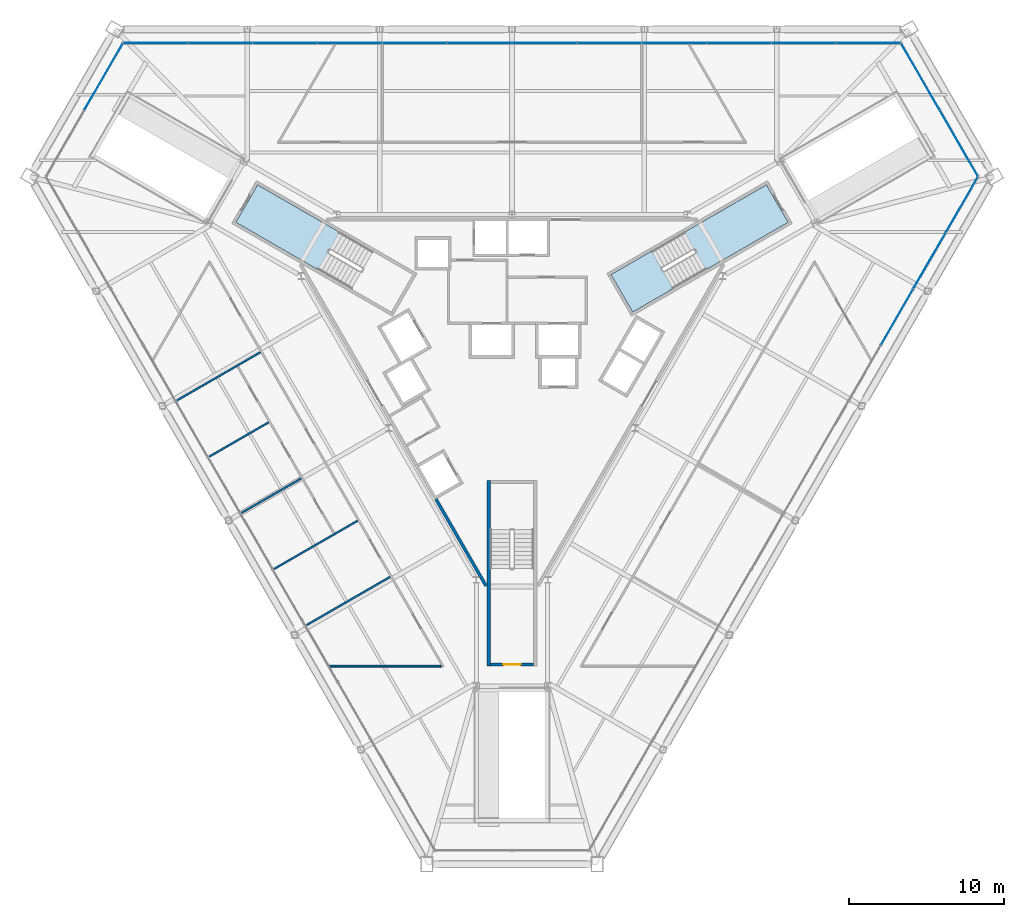
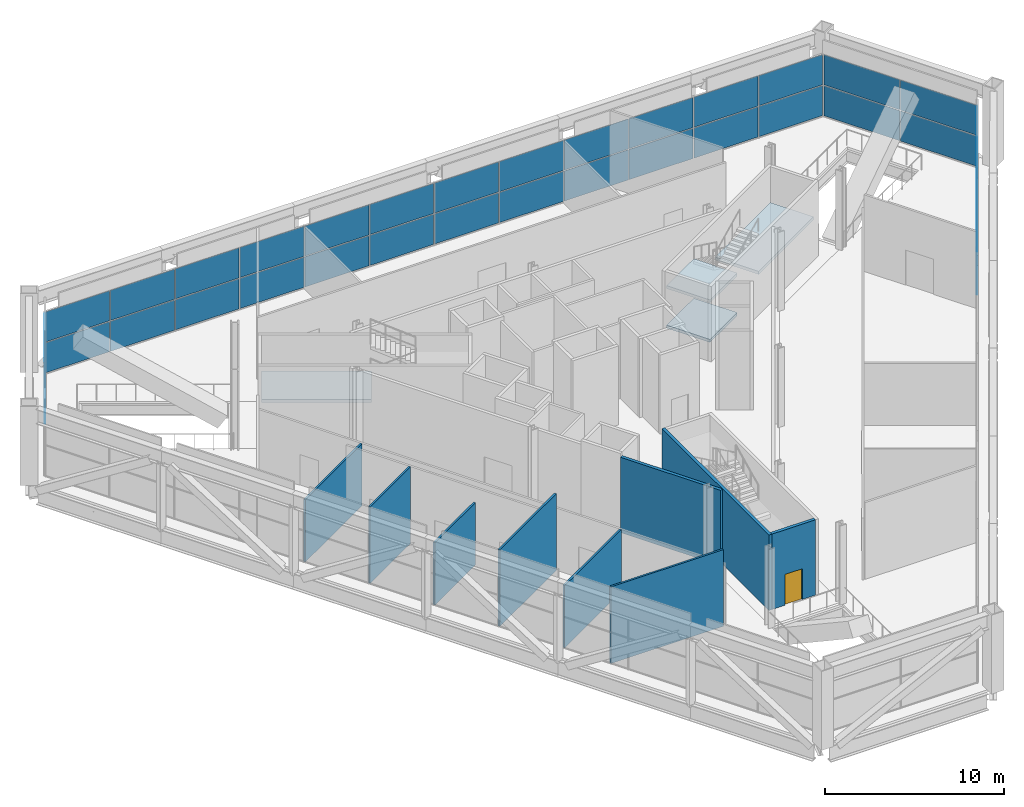
# One storey, part 12 of 20: 36 plates, 9 walls, 4 slabs, 1 door, 1 opening, 6 elements without a shape of their own.
"""IFC4 building model written with IfcOpenShell, lengths in metres."""

from ifc_helpers import new_model, si_unit, direction, frame, frame_2d, origin, origin_2d, place, context, subcontext, project, spatial, polyline, rectangle, outline, extrude, material, layer, layer_set, type_object, element, fill, aggregate, save


model = new_model("IFC4")

# Units and contexts
model_context = context("Model", 3, precision=1e-05, world=origin(), true_north=direction((0.0, 1.0)))
body_context = subcontext(model_context, "Body", "Model", "MODEL_VIEW")
ifc_project = project(units=[si_unit("LENGTHUNIT", "METRE"), si_unit("AREAUNIT", "SQUARE_METRE"), si_unit("VOLUMEUNIT", "CUBIC_METRE"), si_unit("PLANEANGLEUNIT", "RADIAN"), si_unit("MASSUNIT", "GRAM", prefix="KILO")], contexts=[model_context])

# Site, building, storey
site_placement = place(None, origin())
site = spatial("IfcSite", under=ifc_project, at=site_placement, CompositionType="ELEMENT")
building_placement = place(site_placement, origin())
building = spatial("IfcBuilding", under=site, at=building_placement, Name="Verrane Prism Tower", CompositionType="ELEMENT")
storey_placement = place(building_placement, frame((0.0, 0.0, 12.0)))
storey = spatial("IfcBuildingStorey", under=building, at=storey_placement, Name="L01", CompositionType="ELEMENT", Elevation=12.0)

# Curtain wall, plates
ifc_material_1 = material(Name="Aluminium and glass curtain wall", Category="aluminium")
ifc_layer_1 = layer(ifc_material_1, 0.199951171875)
ifc_layer_set_1 = layer_set([ifc_layer_1], Name="CWB-1 retail curtain wall")
curtain_wall_type = type_object("IfcCurtainWallType", Name="CWB-1 retail curtain wall", PredefinedType="NOTDEFINED", material=ifc_layer_set_1)
curtain_wall_1_placement = place(storey_placement, origin())
curtain_wall_1 = element("IfcCurtainWall", 1, at=curtain_wall_1_placement, inside=storey, type_object=curtain_wall_type, Name="Retail curtain wall L01 2", PredefinedType="NOTDEFINED")
ifc_material_2 = material(Name="Glass double glazed low-e", Category="glass")
ifc_layer_2 = layer(ifc_material_2, 0.028076171875)
ifc_layer_set_2 = layer_set([ifc_layer_2], Name="CWB-P 28 mm low-e glass panel")
plate_type_1 = type_object("IfcPlateType", Name="CWB-P 28 mm low-e glass panel", PredefinedType="CURTAIN_PANEL", material=ifc_layer_set_2)
plate_1_placement = place(storey_placement, frame((10.478271484375, 20.27001953125, 2.1748046875), z_axis=(0.0, 0.0, 1.0), x_axis=(-1.0, 0.0, 0.0)))
plate_1 = element("IfcPlate", 2, at=plate_1_placement, type_object=plate_type_1, Name="CWB12 panel 4.2", PredefinedType="CURTAIN_PANEL", context=body_context, shape_type="SweptSolid", body=[
    extrude(rectangle(XDim=4.13134765625, YDim=0.028076171875, at=origin_2d()), origin(), (0.0, 0.0, 1.0), 2.054931640625),
])
plate_2_placement = place(storey_placement, frame((-10.478271484375, 20.27001953125, 2.1748046875), z_axis=(0.0, 0.0, 1.0), x_axis=(-1.0, 0.0, 0.0)))
plate_2 = element("IfcPlate", 3, at=plate_2_placement, type_object=plate_type_1, Name="CWB12 panel 9.2", PredefinedType="CURTAIN_PANEL", context=body_context, shape_type="SweptSolid", body=[
    extrude(rectangle(XDim=4.13134765625, YDim=0.028076171875, at=origin_2d()), origin(), (0.0, 0.0, 1.0), 2.054931640625),
])

curtain_wall_2_placement = place(storey_placement, origin())
curtain_wall_2 = element("IfcCurtainWall", 4, at=curtain_wall_2_placement, inside=storey, type_object=curtain_wall_type, Name="Retail curtain wall L01 1", PredefinedType="NOTDEFINED")
ifc_material_3 = material(Name="Limestone faced insulated spandrel", Category="masonry")
ifc_layer_3 = layer(ifc_material_3, 0.028076171875)
ifc_layer_set_3 = layer_set([ifc_layer_3], Name="CWB-S 28 mm stone-faced spandrel panel")
plate_type_2 = type_object("IfcPlateType", Name="CWB-S 28 mm stone-faced spandrel panel", PredefinedType="CURTAIN_PANEL", material=ifc_layer_set_3)
plate_3_placement = place(storey_placement, frame((28.875732421875, 13.813232421875, 0.06005859375), z_axis=(0.0, 0.0, 1.0), x_axis=(-0.499999190758, 0.866025871, 0.0)))
plate_3 = element("IfcPlate", 5, at=plate_3_placement, type_object=plate_type_2, Name="CWB11 panel 1.1", PredefinedType="CURTAIN_PANEL", context=body_context, shape_type="SweptSolid", body=[
    extrude(rectangle(XDim=4.890380859375, YDim=0.028076171875, at=origin_2d()), origin(), (0.0, 0.0, 1.0), 2.054931640625),
])
plate_4_placement = place(storey_placement, frame((28.875732421875, 13.813232421875, 2.1748046875), z_axis=(0.0, 0.0, 1.0), x_axis=(-0.499999190758, 0.866025871, 0.0)))
plate_4 = element("IfcPlate", 6, at=plate_4_placement, type_object=plate_type_2, Name="CWB11 panel 1.2", PredefinedType="CURTAIN_PANEL", context=body_context, shape_type="SweptSolid", body=[
    extrude(rectangle(XDim=4.890380859375, YDim=0.028076171875, at=origin_2d()), origin(), (0.0, 0.0, 1.0), 2.054931640625),
])
plate_5_placement = place(storey_placement, frame((26.400390625, 18.100341796875, 0.06005859375), z_axis=(0.0, 0.0, 1.0), x_axis=(-0.499999190758, 0.866025871, 0.0)))
plate_5 = element("IfcPlate", 7, at=plate_5_placement, type_object=plate_type_2, Name="CWB11 panel 2.1", PredefinedType="CURTAIN_PANEL", context=body_context, shape_type="SweptSolid", body=[
    extrude(rectangle(XDim=4.890380859375, YDim=0.028076171875, at=origin_2d()), origin(), (0.0, 0.0, 1.0), 2.054931640625),
])
plate_6_placement = place(storey_placement, frame((26.400390625, 18.100341796875, 2.1748046875), z_axis=(0.0, 0.0, 1.0), x_axis=(-0.499999190758, 0.866025871, 0.0)))
plate_6 = element("IfcPlate", 8, at=plate_6_placement, type_object=plate_type_2, Name="CWB11 panel 2.2", PredefinedType="CURTAIN_PANEL", context=body_context, shape_type="SweptSolid", body=[
    extrude(rectangle(XDim=4.890380859375, YDim=0.028076171875, at=origin_2d()), origin(), (0.0, 0.0, 1.0), 2.054931640625),
])
aggregate(curtain_wall_2, [plate_3, plate_4, plate_5, plate_6])

# Plate
plate_7_placement = place(storey_placement, frame((23.037109375, 20.27001953125, 0.06005859375), z_axis=(0.0, 0.0, 1.0), x_axis=(-1.0, 0.0, 0.0)))
plate_7 = element("IfcPlate", 9, at=plate_7_placement, type_object=plate_type_2, Name="CWB12 panel 1.1", PredefinedType="CURTAIN_PANEL", context=body_context, shape_type="SweptSolid", body=[
    extrude(rectangle(XDim=4.101318359375, YDim=0.028076171875, at=origin_2d()), origin(), (0.0, 0.0, 1.0), 2.054931640625),
])

plate_8_placement = place(storey_placement, frame((23.037109375, 20.27001953125, 2.1748046875), z_axis=(0.0, 0.0, 1.0), x_axis=(-1.0, 0.0, 0.0)))
plate_8 = element("IfcPlate", 10, at=plate_8_placement, type_object=plate_type_2, Name="CWB12 panel 1.2", PredefinedType="CURTAIN_PANEL", context=body_context, shape_type="SweptSolid", body=[
    extrude(rectangle(XDim=4.101318359375, YDim=0.028076171875, at=origin_2d()), origin(), (0.0, 0.0, 1.0), 2.054931640625),
])

plate_9_placement = place(storey_placement, frame((18.86083984375, 20.27001953125, 0.06005859375), z_axis=(0.0, 0.0, 1.0), x_axis=(-1.0, 0.0, 0.0)))
plate_9 = element("IfcPlate", 11, at=plate_9_placement, type_object=plate_type_2, Name="CWB12 panel 2.1", PredefinedType="CURTAIN_PANEL", context=body_context, shape_type="SweptSolid", body=[
    extrude(rectangle(XDim=4.13134765625, YDim=0.028076171875, at=origin_2d()), origin(), (0.0, 0.0, 1.0), 2.054931640625),
])

plate_10_placement = place(storey_placement, frame((18.86083984375, 20.27001953125, 2.1748046875), z_axis=(0.0, 0.0, 1.0), x_axis=(-1.0, 0.0, 0.0)))
plate_10 = element("IfcPlate", 12, at=plate_10_placement, type_object=plate_type_2, Name="CWB12 panel 2.2", PredefinedType="CURTAIN_PANEL", context=body_context, shape_type="SweptSolid", body=[
    extrude(rectangle(XDim=4.13134765625, YDim=0.028076171875, at=origin_2d()), origin(), (0.0, 0.0, 1.0), 2.054931640625),
])

plate_11_placement = place(storey_placement, frame((14.669677734375, 20.27001953125, 0.06005859375), z_axis=(0.0, 0.0, 1.0), x_axis=(-1.0, 0.0, 0.0)))
plate_11 = element("IfcPlate", 13, at=plate_11_placement, type_object=plate_type_2, Name="CWB12 panel 3.1", PredefinedType="CURTAIN_PANEL", context=body_context, shape_type="SweptSolid", body=[
    extrude(rectangle(XDim=4.13134765625, YDim=0.028076171875, at=origin_2d()), origin(), (0.0, 0.0, 1.0), 2.054931640625),
])

plate_12_placement = place(storey_placement, frame((14.669677734375, 20.27001953125, 2.1748046875), z_axis=(0.0, 0.0, 1.0), x_axis=(-1.0, 0.0, 0.0)))
plate_12 = element("IfcPlate", 14, at=plate_12_placement, type_object=plate_type_2, Name="CWB12 panel 3.2", PredefinedType="CURTAIN_PANEL", context=body_context, shape_type="SweptSolid", body=[
    extrude(rectangle(XDim=4.13134765625, YDim=0.028076171875, at=origin_2d()), origin(), (0.0, 0.0, 1.0), 2.054931640625),
])

plate_13_placement = place(storey_placement, frame((10.478271484375, 20.27001953125, 0.06005859375), z_axis=(0.0, 0.0, 1.0), x_axis=(-1.0, 0.0, 0.0)))
plate_13 = element("IfcPlate", 15, at=plate_13_placement, type_object=plate_type_2, Name="CWB12 panel 4.1", PredefinedType="CURTAIN_PANEL", context=body_context, shape_type="SweptSolid", body=[
    extrude(rectangle(XDim=4.13134765625, YDim=0.028076171875, at=origin_2d()), origin(), (0.0, 0.0, 1.0), 2.054931640625),
])

plate_14_placement = place(storey_placement, frame((6.286865234375, 20.27001953125, 0.06005859375), z_axis=(0.0, 0.0, 1.0), x_axis=(-1.0, 0.0, 0.0)))
plate_14 = element("IfcPlate", 16, at=plate_14_placement, type_object=plate_type_2, Name="CWB12 panel 5.1", PredefinedType="CURTAIN_PANEL", context=body_context, shape_type="SweptSolid", body=[
    extrude(rectangle(XDim=4.13134765625, YDim=0.028076171875, at=origin_2d()), origin(), (0.0, 0.0, 1.0), 2.054931640625),
])

plate_15_placement = place(storey_placement, frame((6.286865234375, 20.27001953125, 2.1748046875), z_axis=(0.0, 0.0, 1.0), x_axis=(-1.0, 0.0, 0.0)))
plate_15 = element("IfcPlate", 17, at=plate_15_placement, type_object=plate_type_2, Name="CWB12 panel 5.2", PredefinedType="CURTAIN_PANEL", context=body_context, shape_type="SweptSolid", body=[
    extrude(rectangle(XDim=4.13134765625, YDim=0.028076171875, at=origin_2d()), origin(), (0.0, 0.0, 1.0), 2.054931640625),
])

plate_16_placement = place(storey_placement, frame((2.095703125, 20.27001953125, 0.06005859375), z_axis=(0.0, 0.0, 1.0), x_axis=(-1.0, 0.0, 0.0)))
plate_16 = element("IfcPlate", 18, at=plate_16_placement, type_object=plate_type_2, Name="CWB12 panel 6.1", PredefinedType="CURTAIN_PANEL", context=body_context, shape_type="SweptSolid", body=[
    extrude(rectangle(XDim=4.13134765625, YDim=0.028076171875, at=origin_2d()), origin(), (0.0, 0.0, 1.0), 2.054931640625),
])

plate_17_placement = place(storey_placement, frame((2.095703125, 20.27001953125, 2.1748046875), z_axis=(0.0, 0.0, 1.0), x_axis=(-1.0, 0.0, 0.0)))
plate_17 = element("IfcPlate", 19, at=plate_17_placement, type_object=plate_type_2, Name="CWB12 panel 6.2", PredefinedType="CURTAIN_PANEL", context=body_context, shape_type="SweptSolid", body=[
    extrude(rectangle(XDim=4.13134765625, YDim=0.028076171875, at=origin_2d()), origin(), (0.0, 0.0, 1.0), 2.054931640625),
])

plate_18_placement = place(storey_placement, frame((-2.095703125, 20.27001953125, 0.06005859375), z_axis=(0.0, 0.0, 1.0), x_axis=(-1.0, 0.0, 0.0)))
plate_18 = element("IfcPlate", 20, at=plate_18_placement, type_object=plate_type_2, Name="CWB12 panel 7.1", PredefinedType="CURTAIN_PANEL", context=body_context, shape_type="SweptSolid", body=[
    extrude(rectangle(XDim=4.13134765625, YDim=0.028076171875, at=origin_2d()), origin(), (0.0, 0.0, 1.0), 2.054931640625),
])

plate_19_placement = place(storey_placement, frame((-2.095703125, 20.27001953125, 2.1748046875), z_axis=(0.0, 0.0, 1.0), x_axis=(-1.0, 0.0, 0.0)))
plate_19 = element("IfcPlate", 21, at=plate_19_placement, type_object=plate_type_2, Name="CWB12 panel 7.2", PredefinedType="CURTAIN_PANEL", context=body_context, shape_type="SweptSolid", body=[
    extrude(rectangle(XDim=4.13134765625, YDim=0.028076171875, at=origin_2d()), origin(), (0.0, 0.0, 1.0), 2.054931640625),
])

plate_20_placement = place(storey_placement, frame((-6.286865234375, 20.27001953125, 0.06005859375), z_axis=(0.0, 0.0, 1.0), x_axis=(-1.0, 0.0, 0.0)))
plate_20 = element("IfcPlate", 22, at=plate_20_placement, type_object=plate_type_2, Name="CWB12 panel 8.1", PredefinedType="CURTAIN_PANEL", context=body_context, shape_type="SweptSolid", body=[
    extrude(rectangle(XDim=4.13134765625, YDim=0.028076171875, at=origin_2d()), origin(), (0.0, 0.0, 1.0), 2.054931640625),
])

plate_21_placement = place(storey_placement, frame((-6.286865234375, 20.27001953125, 2.1748046875), z_axis=(0.0, 0.0, 1.0), x_axis=(-1.0, 0.0, 0.0)))
plate_21 = element("IfcPlate", 23, at=plate_21_placement, type_object=plate_type_2, Name="CWB12 panel 8.2", PredefinedType="CURTAIN_PANEL", context=body_context, shape_type="SweptSolid", body=[
    extrude(rectangle(XDim=4.13134765625, YDim=0.028076171875, at=origin_2d()), origin(), (0.0, 0.0, 1.0), 2.054931640625),
])

plate_22_placement = place(storey_placement, frame((-10.478271484375, 20.27001953125, 0.06005859375), z_axis=(0.0, 0.0, 1.0), x_axis=(-1.0, 0.0, 0.0)))
plate_22 = element("IfcPlate", 24, at=plate_22_placement, type_object=plate_type_2, Name="CWB12 panel 9.1", PredefinedType="CURTAIN_PANEL", context=body_context, shape_type="SweptSolid", body=[
    extrude(rectangle(XDim=4.13134765625, YDim=0.028076171875, at=origin_2d()), origin(), (0.0, 0.0, 1.0), 2.054931640625),
])

plate_23_placement = place(storey_placement, frame((-14.669677734375, 20.27001953125, 0.06005859375), z_axis=(0.0, 0.0, 1.0), x_axis=(-1.0, 0.0, 0.0)))
plate_23 = element("IfcPlate", 25, at=plate_23_placement, type_object=plate_type_2, Name="CWB12 panel 10.1", PredefinedType="CURTAIN_PANEL", context=body_context, shape_type="SweptSolid", body=[
    extrude(rectangle(XDim=4.13134765625, YDim=0.028076171875, at=origin_2d()), origin(), (0.0, 0.0, 1.0), 2.054931640625),
])

plate_24_placement = place(storey_placement, frame((-14.669677734375, 20.27001953125, 2.1748046875), z_axis=(0.0, 0.0, 1.0), x_axis=(-1.0, 0.0, 0.0)))
plate_24 = element("IfcPlate", 26, at=plate_24_placement, type_object=plate_type_2, Name="CWB12 panel 10.2", PredefinedType="CURTAIN_PANEL", context=body_context, shape_type="SweptSolid", body=[
    extrude(rectangle(XDim=4.13134765625, YDim=0.028076171875, at=origin_2d()), origin(), (0.0, 0.0, 1.0), 2.054931640625),
])

plate_25_placement = place(storey_placement, frame((-18.86083984375, 20.27001953125, 0.06005859375), z_axis=(0.0, 0.0, 1.0), x_axis=(-1.0, 0.0, 0.0)))
plate_25 = element("IfcPlate", 27, at=plate_25_placement, type_object=plate_type_2, Name="CWB12 panel 11.1", PredefinedType="CURTAIN_PANEL", context=body_context, shape_type="SweptSolid", body=[
    extrude(rectangle(XDim=4.13134765625, YDim=0.028076171875, at=origin_2d()), origin(), (0.0, 0.0, 1.0), 2.054931640625),
])

plate_26_placement = place(storey_placement, frame((-18.86083984375, 20.27001953125, 2.1748046875), z_axis=(0.0, 0.0, 1.0), x_axis=(-1.0, 0.0, 0.0)))
plate_26 = element("IfcPlate", 28, at=plate_26_placement, type_object=plate_type_2, Name="CWB12 panel 11.2", PredefinedType="CURTAIN_PANEL", context=body_context, shape_type="SweptSolid", body=[
    extrude(rectangle(XDim=4.13134765625, YDim=0.028076171875, at=origin_2d()), origin(), (0.0, 0.0, 1.0), 2.054931640625),
])

plate_27_placement = place(storey_placement, frame((-23.037109375, 20.27001953125, 0.06005859375), z_axis=(0.0, 0.0, 1.0), x_axis=(-1.0, 0.0, 0.0)))
plate_27 = element("IfcPlate", 29, at=plate_27_placement, type_object=plate_type_2, Name="CWB12 panel 12.1", PredefinedType="CURTAIN_PANEL", context=body_context, shape_type="SweptSolid", body=[
    extrude(rectangle(XDim=4.101318359375, YDim=0.028076171875, at=origin_2d()), origin(), (0.0, 0.0, 1.0), 2.054931640625),
])

plate_28_placement = place(storey_placement, frame((-23.037109375, 20.27001953125, 2.1748046875), z_axis=(0.0, 0.0, 1.0), x_axis=(-1.0, 0.0, 0.0)))
plate_28 = element("IfcPlate", 30, at=plate_28_placement, type_object=plate_type_2, Name="CWB12 panel 12.2", PredefinedType="CURTAIN_PANEL", context=body_context, shape_type="SweptSolid", body=[
    extrude(rectangle(XDim=4.101318359375, YDim=0.028076171875, at=origin_2d()), origin(), (0.0, 0.0, 1.0), 2.054931640625),
])

aggregate(curtain_wall_1, [plate_7, plate_8, plate_9, plate_10, plate_11, plate_12, plate_13, plate_1, plate_14, plate_15, plate_16, plate_17, plate_18, plate_19, plate_20, plate_21, plate_22, plate_2, plate_23, plate_24, plate_25, plate_26, plate_27, plate_28])

# Curtain wall, plates
curtain_wall_3_placement = place(storey_placement, origin())
curtain_wall_3 = element("IfcCurtainWall", 31, at=curtain_wall_3_placement, inside=storey, type_object=curtain_wall_type, Name="Retail curtain wall L01 3", PredefinedType="NOTDEFINED")
plate_29_placement = place(storey_placement, frame((-26.400390625, 18.100341796875, 0.06005859375), z_axis=(0.0, 0.0, 1.0), x_axis=(-0.499999190758, -0.866025871, 0.0)))
plate_29 = element("IfcPlate", 32, at=plate_29_placement, type_object=plate_type_2, Name="CWB13 panel 1.1", PredefinedType="CURTAIN_PANEL", context=body_context, shape_type="SweptSolid", body=[
    extrude(rectangle(XDim=4.890380859375, YDim=0.028076171875, at=origin_2d()), origin(), (0.0, 0.0, 1.0), 2.054931640625),
])
plate_30_placement = place(storey_placement, frame((-26.400390625, 18.100341796875, 2.1748046875), z_axis=(0.0, 0.0, 1.0), x_axis=(-0.499999190758, -0.866025871, 0.0)))
plate_30 = element("IfcPlate", 33, at=plate_30_placement, type_object=plate_type_2, Name="CWB13 panel 1.2", PredefinedType="CURTAIN_PANEL", context=body_context, shape_type="SweptSolid", body=[
    extrude(rectangle(XDim=4.890380859375, YDim=0.028076171875, at=origin_2d()), origin(), (0.0, 0.0, 1.0), 2.054931640625),
])
aggregate(curtain_wall_3, [plate_29, plate_30])

curtain_wall_4_placement = place(storey_placement, origin())
curtain_wall_4 = element("IfcCurtainWall", 34, at=curtain_wall_4_placement, inside=storey, type_object=curtain_wall_type, Name="Retail curtain wall L01 6", PredefinedType="NOTDEFINED")
plate_31_placement = place(storey_placement, frame((24.88916015625, 2.5693359375, 0.06005859375), z_axis=(0.0, 0.0, 1.0), x_axis=(0.50000011897, 0.866025335097, 0.0)))
plate_31 = element("IfcPlate", 35, at=plate_31_placement, type_object=plate_type_2, Name="CWB16 panel 10.1", PredefinedType="CURTAIN_PANEL", context=body_context, shape_type="SweptSolid", body=[
    extrude(rectangle(XDim=4.13134765625, YDim=0.028076171875, at=origin_2d()), origin(), (0.0, 0.0, 1.0), 2.054931640625),
])
plate_32_placement = place(storey_placement, frame((24.88916015625, 2.5693359375, 2.1748046875), z_axis=(0.0, 0.0, 1.0), x_axis=(0.50000011897, 0.866025335097, 0.0)))
plate_32 = element("IfcPlate", 36, at=plate_32_placement, type_object=plate_type_2, Name="CWB16 panel 10.2", PredefinedType="CURTAIN_PANEL", context=body_context, shape_type="SweptSolid", body=[
    extrude(rectangle(XDim=4.13134765625, YDim=0.028076171875, at=origin_2d()), origin(), (0.0, 0.0, 1.0), 2.054931640625),
])
plate_33_placement = place(storey_placement, frame((26.98486328125, 6.198974609375, 0.06005859375), z_axis=(0.0, 0.0, 1.0), x_axis=(0.50000011897, 0.866025335097, 0.0)))
plate_33 = element("IfcPlate", 37, at=plate_33_placement, type_object=plate_type_2, Name="CWB16 panel 11.1", PredefinedType="CURTAIN_PANEL", context=body_context, shape_type="SweptSolid", body=[
    extrude(rectangle(XDim=4.13134765625, YDim=0.028076171875, at=origin_2d()), origin(), (0.0, 0.0, 1.0), 2.054931640625),
])
plate_34_placement = place(storey_placement, frame((26.98486328125, 6.198974609375, 2.1748046875), z_axis=(0.0, 0.0, 1.0), x_axis=(0.50000011897, 0.866025335097, 0.0)))
plate_34 = element("IfcPlate", 38, at=plate_34_placement, type_object=plate_type_2, Name="CWB16 panel 11.2", PredefinedType="CURTAIN_PANEL", context=body_context, shape_type="SweptSolid", body=[
    extrude(rectangle(XDim=4.13134765625, YDim=0.028076171875, at=origin_2d()), origin(), (0.0, 0.0, 1.0), 2.054931640625),
])
plate_35_placement = place(storey_placement, frame((29.072998046875, 9.81591796875, 0.06005859375), z_axis=(0.0, 0.0, 1.0), x_axis=(0.50000011897, 0.866025335097, 0.0)))
plate_35 = element("IfcPlate", 39, at=plate_35_placement, type_object=plate_type_2, Name="CWB16 panel 12.1", PredefinedType="CURTAIN_PANEL", context=body_context, shape_type="SweptSolid", body=[
    extrude(rectangle(XDim=4.101318359375, YDim=0.028076171875, at=origin_2d()), origin(), (0.0, 0.0, 1.0), 2.054931640625),
])
plate_36_placement = place(storey_placement, frame((29.072998046875, 9.81591796875, 2.1748046875), z_axis=(0.0, 0.0, 1.0), x_axis=(0.50000011897, 0.866025335097, 0.0)))
plate_36 = element("IfcPlate", 40, at=plate_36_placement, type_object=plate_type_2, Name="CWB16 panel 12.2", PredefinedType="CURTAIN_PANEL", context=body_context, shape_type="SweptSolid", body=[
    extrude(rectangle(XDim=4.101318359375, YDim=0.028076171875, at=origin_2d()), origin(), (0.0, 0.0, 1.0), 2.054931640625),
])
aggregate(curtain_wall_4, [plate_31, plate_32, plate_33, plate_34, plate_35, plate_36])

# Stair, slabs
ifc_material_4 = material(Name="Concrete C40/50", Category="concrete")
stair_type = type_object("IfcStairType", Name="Exit stair 1300 dog-leg precast concrete C40/50", PredefinedType="HALF_TURN_STAIR", material=ifc_material_4)
stair_1_placement = place(storey_placement, origin())
stair_1 = element("IfcStair", 41, at=stair_1_placement, inside=storey, type_object=stair_type, Name="Stair 1 L01", PredefinedType="HALF_TURN_STAIR")
ifc_material_5 = material(Name="Concrete C40/50", Category="concrete")
ifc_layer_4 = layer(ifc_material_5, 0.199951171875)
ifc_layer_set_4 = layer_set([ifc_layer_4], Name="Stair landing 200 precast concrete C40/50")
slab_type = type_object("IfcSlabType", Name="Stair landing 200 precast concrete C40/50", PredefinedType="LANDING", material=ifc_layer_set_4)
slab_1_placement = place(storey_placement, frame((0.0, 0.0, 1.14990234375)))
slab_1 = element("IfcSlab", 42, at=slab_1_placement, type_object=slab_type, Name="Stair 1 landing 1", PredefinedType="LANDING", context=body_context, shape_type="SweptSolid", body=[
    extrude(outline(polyline([(9.0341796875, 6.83251953125), (6.4013671875, 5.3125), (7.801513671875, 2.887451171875), (10.43408203125, 4.407470703125), (9.0341796875, 6.83251953125)])), origin(), (0.0, 0.0, 1.0), 0.2001953125),
])
slab_2_placement = place(storey_placement, frame((0.0, 0.0, 2.5)))
slab_2 = element("IfcSlab", 43, at=slab_2_placement, type_object=slab_type, Name="Stair 1 landing 2", PredefinedType="LANDING", context=body_context, shape_type="SweptSolid", body=[
    extrude(outline(polyline([(16.447265625, 11.112548828125), (11.112548828125, 8.032470703125), (12.5126953125, 5.607666015625), (17.847412109375, 8.6875), (16.447265625, 11.112548828125)])), origin(), (0.0, 0.0, 1.0), 0.199951171875),
])
slab_3_placement = place(storey_placement, frame((0.0, 0.0, 3.85009765625)))
slab_3 = element("IfcSlab", 44, at=slab_3_placement, type_object=slab_type, Name="Stair 1 landing 3", PredefinedType="LANDING", context=body_context, shape_type="SweptSolid", body=[
    extrude(outline(polyline([(9.0341796875, 6.83251953125), (6.4013671875, 5.3125), (7.801513671875, 2.887451171875), (10.43408203125, 4.407470703125), (9.0341796875, 6.83251953125)])), origin(), (0.0, 0.0, 1.0), 0.199951171875),
])
aggregate(stair_1, [slab_1, slab_2, slab_3])

# Stair, slab
stair_2_placement = place(storey_placement, origin())
stair_2 = element("IfcStair", 45, at=stair_2_placement, inside=storey, type_object=stair_type, Name="Stair 2 L01", PredefinedType="HALF_TURN_STAIR")
slab_4_placement = place(storey_placement, frame((0.0, 0.0, 2.5)))
slab_4 = element("IfcSlab", 46, at=slab_4_placement, type_object=slab_type, Name="Stair 2 landing 2", PredefinedType="LANDING", context=body_context, shape_type="SweptSolid", body=[
    extrude(outline(polyline([(-17.84716796875, 8.6875), (-12.5126953125, 5.607666015625), (-11.112548828125, 8.032470703125), (-16.447265625, 11.1123046875), (-17.84716796875, 8.6875)])), origin(), (0.0, 0.0, 1.0), 0.199951171875),
])
aggregate(stair_2, [slab_4])

# Walls
ifc_material_6 = material(Name="Gypsum board partition", Category="other")
ifc_layer_5 = layer(ifc_material_6, 0.125)
ifc_layer_set_5 = layer_set([ifc_layer_5], Name="BW-125 demising wall 1 h")
wall_type_1 = type_object("IfcWallType", Name="BW-125 demising wall 1 h", PredefinedType="PARTITIONING", material=ifc_layer_set_5)
wall_1_placement = place(storey_placement, frame((-13.363037109375, -17.39501953125, 0.0), z_axis=(0.0, 0.0, 1.0), x_axis=(0.866003371142, 0.500038159714, 0.0)))
element("IfcWall", 47, at=wall_1_placement, inside=storey, type_object=wall_type_1, Name="Demising wall 010", PredefinedType="PARTITIONING", context=body_context, shape_type="SweptSolid", body=[
    extrude(rectangle(XDim=6.3369140625, YDim=0.125, at=frame_2d((3.16845703125, 0.0))), origin(), (0.0, 0.0, 1.0), 4.2529296875),
])
ifc_material_7 = material(Name="Gypsum board partition", Category="other")
ifc_layer_6 = layer(ifc_material_7, 0.125)
ifc_layer_set_6 = layer_set([ifc_layer_6], Name="BW-125 plumbing wall")
wall_type_2 = type_object("IfcWallType", Name="BW-125 plumbing wall", PredefinedType="PARTITIONING", material=ifc_layer_set_6)
wall_2_placement = place(storey_placement, frame((-21.74609375, -2.875, 0.0), z_axis=(0.0, 0.0, 1.0), x_axis=(0.866118237319, 0.499839173118, 0.0)))
element("IfcWall", 48, at=wall_2_placement, inside=storey, type_object=wall_type_2, Name="Plumbing wall 002", PredefinedType="PARTITIONING", context=body_context, shape_type="SweptSolid", body=[
    extrude(rectangle(XDim=6.33740234375, YDim=0.125, at=frame_2d((3.168701171875, 0.0))), origin(), (0.0, 0.0, 1.0), 4.2529296875),
])
wall_3_placement = place(storey_placement, frame((-19.64990234375, -6.5048828125, 0.0), z_axis=(0.0, 0.0, 1.0), x_axis=(0.866053739465, 0.49995091795, 0.0)))
element("IfcWall", 49, at=wall_3_placement, inside=storey, type_object=wall_type_2, Name="Plumbing wall 003", PredefinedType="PARTITIONING", context=body_context, shape_type="SweptSolid", body=[
    extrude(rectangle(XDim=4.53271484375, YDim=0.125, at=frame_2d((2.266357421875, 0.0))), origin(), (0.0, 0.0, 1.0), 5.239990234375),
])
wall_4_placement = place(storey_placement, frame((-17.554931640625, -10.135009765625, 0.0), z_axis=(0.0, 0.0, 1.0), x_axis=(0.866026101152, 0.499998792122, 0.0)))
element("IfcWall", 50, at=wall_4_placement, inside=storey, type_object=wall_type_2, Name="Plumbing wall 006", PredefinedType="PARTITIONING", context=body_context, shape_type="SweptSolid", body=[
    extrude(rectangle(XDim=4.53759765625, YDim=0.125, at=frame_2d((2.268798828125, 0.0))), origin(), (0.0, 0.0, 1.0), 4.2529296875),
])
wall_5_placement = place(storey_placement, frame((-15.458984375, -13.764892578125, 0.0), z_axis=(0.0, 0.0, 1.0), x_axis=(0.866044997331, 0.499966061446, 0.0)))
element("IfcWall", 51, at=wall_5_placement, inside=storey, type_object=wall_type_2, Name="Plumbing wall 007", PredefinedType="PARTITIONING", context=body_context, shape_type="SweptSolid", body=[
    extrude(rectangle(XDim=6.3330078125, YDim=0.125, at=frame_2d((3.16650390625, 0.0))), origin(), (0.0, 0.0, 1.0), 5.239990234375),
])
ifc_material_8 = material(Name="Gypsum board partition", Category="other")
ifc_layer_7 = layer(ifc_material_8, 0.125)
ifc_layer_set_7 = layer_set([ifc_layer_7], Name="BW-125 shopfront wall 1 h")
wall_type_3 = type_object("IfcWallType", Name="BW-125 shopfront wall 1 h", PredefinedType="PARTITIONING", material=ifc_layer_set_7)
wall_6_placement = place(storey_placement, frame((-11.85888671875, -20.0, 0.0), z_axis=(0.0, 0.0, 1.0), x_axis=(1.0, 0.0, 0.0)))
element("IfcWall", 52, at=wall_6_placement, inside=storey, type_object=wall_type_3, Name="Shopfront wall 011", PredefinedType="PARTITIONING", context=body_context, shape_type="SweptSolid", body=[
    extrude(rectangle(XDim=7.284912109375, YDim=0.125, at=frame_2d((3.642578125, 0.0))), origin(), (0.0, 0.0, 1.0), 5.239990234375),
])
ifc_material_9 = material(Name="Gypsum board partition", Category="other")
ifc_layer_8 = layer(ifc_material_9, 0.199951171875)
ifc_layer_set_8 = layer_set([ifc_layer_8], Name="CW-200 core boundary wall 2 h")
wall_type_4 = type_object("IfcWallType", Name="CW-200 core boundary wall 2 h", PredefinedType="PARTITIONING", material=ifc_layer_set_8)
wall_7_placement = place(storey_placement, frame((-4.9140625, -9.2080078125, 0.0), z_axis=(0.0, 0.0, 1.0), x_axis=(0.499947703927, -0.866055594831, 0.0)))
element("IfcWall", 53, at=wall_7_placement, inside=storey, type_object=wall_type_4, Name="Core boundary wall CW3-003", PredefinedType="PARTITIONING", context=body_context, shape_type="SweptSolid", body=[
    extrude(rectangle(XDim=6.473876953125, YDim=0.199951171875, at=frame_2d((3.23681640625, 0.0))), origin(), (0.0, 0.0, 1.0), 5.14990234375),
])

# Wall, opening, door
ifc_material_10 = material(Name="Concrete C40/50", Category="concrete")
ifc_layer_9 = layer(ifc_material_10, 0.199951171875)
ifc_layer_set_9 = layer_set([ifc_layer_9], Name="CW-200 stair core wall concrete C40/50 3 h")
wall_type_5 = type_object("IfcWallType", Name="CW-200 stair core wall concrete C40/50 3 h", PredefinedType="PARTITIONING", material=ifc_layer_set_9)
wall_8_placement = place(storey_placement, frame((-1.39990234375, -19.89990234375, 0.0), z_axis=(0.0, 0.0, 1.0), x_axis=(1.0, 0.0, 0.0)))
wall_8 = element("IfcWall", 54, at=wall_8_placement, inside=storey, type_object=wall_type_5, Name="Stair 3 enclosure wall", PredefinedType="PARTITIONING", context=body_context, shape_type="SweptSolid", body=[
    extrude(rectangle(XDim=2.7998046875, YDim=0.199951171875, at=frame_2d((1.39990234375, 0.0))), origin(), (0.0, 0.0, 1.0), 5.14990234375),
])
opening_placement = place(wall_8_placement, frame((0.85009765625, 0.0, 0.0)))
opening = element("IfcOpeningElement", 55, at=opening_placement, cuts=wall_8, Name="Opening D01502", PredefinedType="OPENING", context=body_context, shape_type="SweptSolid", body=[
    extrude(rectangle(XDim=1.10009765625, YDim=2.10009765625, at=frame_2d((0.550048828125, 1.050048828125))), frame((0.0, 0.10986328125, 0.0), z_axis=(0.0, -1.0, 0.0), x_axis=(1.0, 0.0, 0.0)), (0.0, 0.0, 1.0), 0.219970703125),
])
ifc_material_11 = material(Name="Timber veneered door leaf", Category="wood")
door_type = type_object("IfcDoorType", Name="DR-1100x2100 FD90 single leaf stair", OperationType="NOTDEFINED", PredefinedType="DOOR", material=ifc_material_11)
door_placement = place(opening_placement, origin())
door = element("IfcDoor", 56, at=door_placement, inside=storey, type_object=door_type, Name="Stair 3 door", OperationType="SINGLE_SWING_LEFT", OverallHeight=2.10009765625, OverallWidth=1.10009765625, PredefinedType="DOOR", context=body_context, shape_type="SweptSolid", body=[
    extrude(rectangle(XDim=1.10009765625, YDim=2.10009765625, at=frame_2d((0.550048828125, 1.050048828125))), frame((0.0, 0.02490234375, 0.0), z_axis=(0.0, -1.0, 0.0), x_axis=(1.0, 0.0, 0.0)), (0.0, 0.0, 1.0), 0.050048828125),
])
fill(opening, door)

# Wall
wall_9_placement = place(storey_placement, frame((-1.5, -8.0, 0.0), z_axis=(0.0, 0.0, 1.0), x_axis=(0.0, -1.0, 0.0)))
element("IfcWall", 57, at=wall_9_placement, inside=storey, type_object=wall_type_5, Name="Stair 3 enclosure wall", PredefinedType="PARTITIONING", context=body_context, shape_type="SweptSolid", body=[
    extrude(rectangle(XDim=12.0, YDim=0.199951171875, at=frame_2d((6.0, 0.0))), origin(), (0.0, 0.0, 1.0), 5.14990234375),
])

save(model, "model.ifc")
